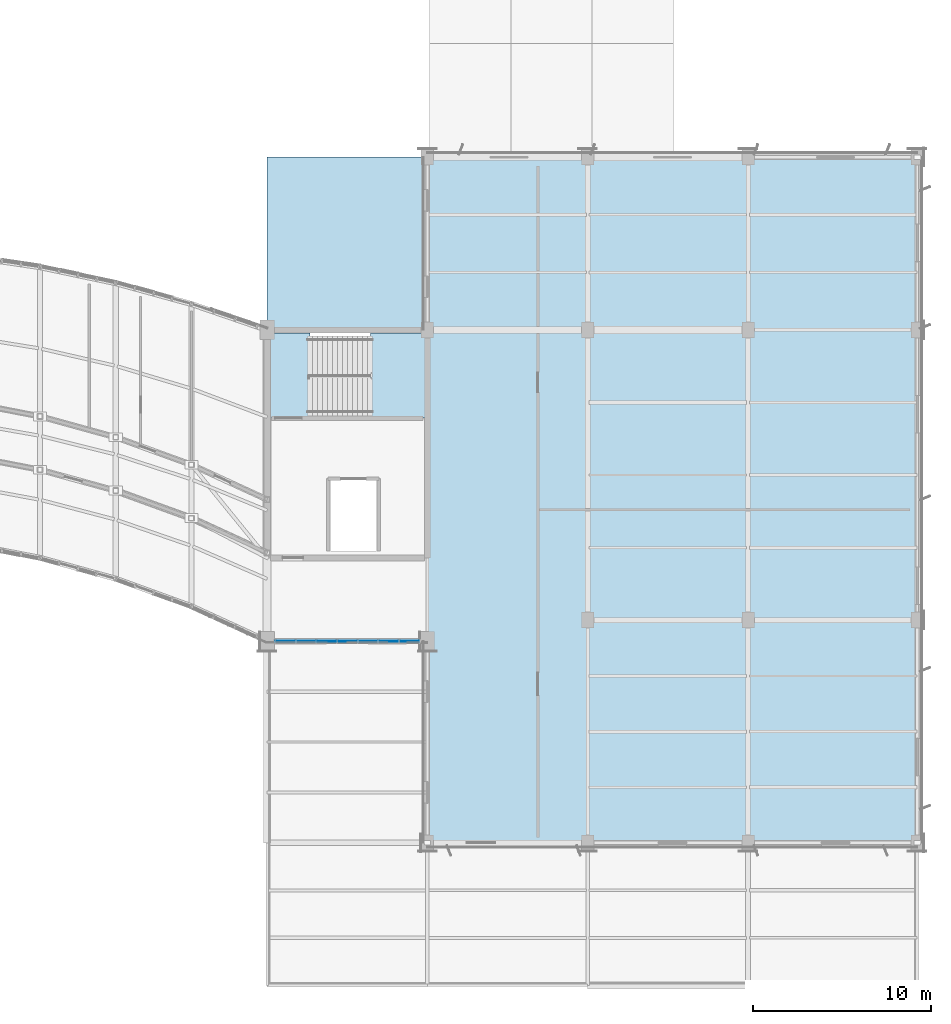
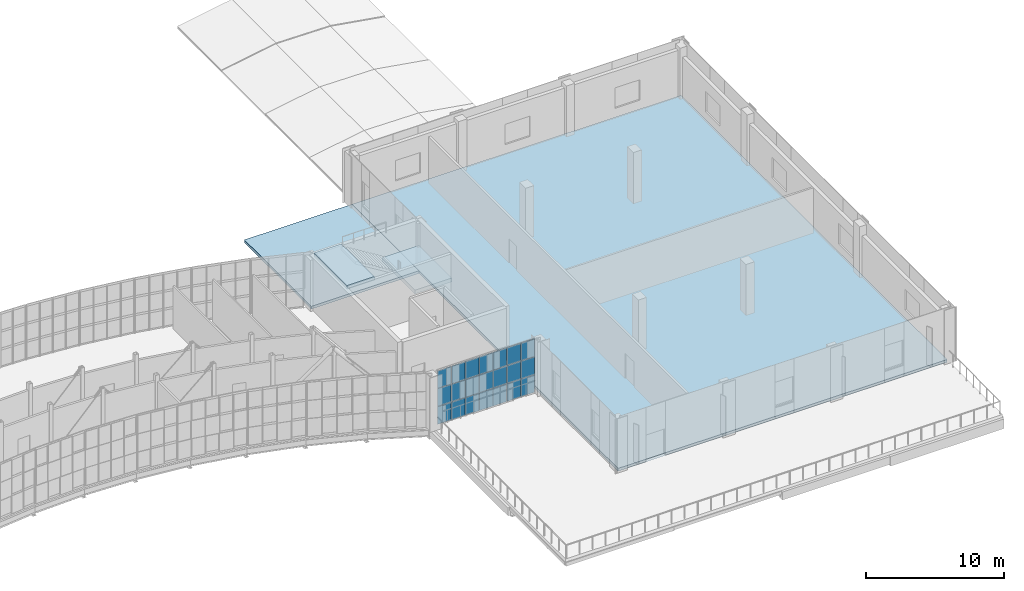
# One storey, part 63 of 86: 21 plates, 4 slabs, 2 elements without a shape of their own.
"""IFC4 building model written with IfcOpenShell, lengths in metres."""

from ifc_helpers import new_model, si_unit, direction, frame, origin, origin_2d, place, context, subcontext, project, spatial, polyline, rectangle, outline, extrude, material, layer, layer_set, type_object, element, aggregate, save


model = new_model("IFC4")

# Units and contexts
model_context = context("Model", 3, precision=1e-05, world=origin(), true_north=direction((0.0, 1.0)))
body_context = subcontext(model_context, "Body", "Model", "MODEL_VIEW")
ifc_project = project(units=[si_unit("LENGTHUNIT", "METRE"), si_unit("AREAUNIT", "SQUARE_METRE"), si_unit("VOLUMEUNIT", "CUBIC_METRE"), si_unit("PLANEANGLEUNIT", "RADIAN"), si_unit("MASSUNIT", "GRAM", prefix="KILO")], contexts=[model_context])

# Site, building, storey
site_placement = place(None, origin())
site = spatial("IfcSite", under=ifc_project, at=site_placement, CompositionType="ELEMENT")
building_placement = place(site_placement, origin())
building = spatial("IfcBuilding", under=site, at=building_placement, Name="Solvikara Media Centre", CompositionType="ELEMENT")
storey_placement = place(building_placement, frame((0.0, 0.0, 15.0)))
storey = spatial("IfcBuildingStorey", under=building, at=storey_placement, Name="L03", CompositionType="ELEMENT", Elevation=15.0)

# Curtain wall, plates
ifc_material_1 = material(Name="Anodised aluminium EN AW-6063", Category="aluminium")
curtain_wall_type = type_object("IfcCurtainWallType", Name="CW-10", PredefinedType="NOTDEFINED", material=ifc_material_1)
curtain_wall_placement = place(storey_placement, origin())
curtain_wall = element("IfcCurtainWall", 1, at=curtain_wall_placement, inside=storey, type_object=curtain_wall_type, Name="CW-L03-BHES", PredefinedType="NOTDEFINED")
ifc_material_2 = material(Name="Laminated solar-control cyan vision glass", Category="glass")
ifc_layer_1 = layer(ifc_material_2, 0.035888671875)
ifc_layer_set_1 = layer_set([ifc_layer_1], Name="Laminated solar-control cyan vision glass")
plate_type_1 = type_object("IfcPlateType", Name="PN-01", PredefinedType="CURTAIN_PANEL", material=ifc_layer_set_1)
plate_1_placement = place(storey_placement, frame((128.52001953125, 19.323974609375, 1.62158203125), z_axis=(0.0, 0.0, 1.0), x_axis=(1.0, 0.0, 0.0)))
plate_1 = element("IfcPlate", 2, at=plate_1_placement, type_object=plate_type_1, Name="CW-L03-BHES-P0001", PredefinedType="CURTAIN_PANEL", context=body_context, shape_type="SweptSolid", body=[
    extrude(rectangle(XDim=1.1298828125, YDim=0.035888671875, at=origin_2d()), origin(), (0.0, 0.0, 1.0), 1.556884765625),
])
plate_2_placement = place(storey_placement, frame((128.52001953125, 19.323974609375, 3.20849609375), z_axis=(0.0, 0.0, 1.0), x_axis=(1.0, 0.0, 0.0)))
plate_2 = element("IfcPlate", 3, at=plate_2_placement, type_object=plate_type_1, Name="CW-L03-BHES-P0002", PredefinedType="CURTAIN_PANEL", context=body_context, shape_type="SweptSolid", body=[
    extrude(rectangle(XDim=1.1298828125, YDim=0.035888671875, at=origin_2d()), origin(), (0.0, 0.0, 1.0), 1.556884765625),
])
plate_3_placement = place(storey_placement, frame((129.679931640625, 19.323974609375, 1.62158203125), z_axis=(0.0, 0.0, 1.0), x_axis=(1.0, 0.0, 0.0)))
plate_3 = element("IfcPlate", 4, at=plate_3_placement, type_object=plate_type_1, Name="CW-L03-BHES-P0101", PredefinedType="CURTAIN_PANEL", context=body_context, shape_type="SweptSolid", body=[
    extrude(rectangle(XDim=1.1298828125, YDim=0.035888671875, at=origin_2d()), origin(), (0.0, 0.0, 1.0), 1.556884765625),
])
plate_4_placement = place(storey_placement, frame((129.679931640625, 19.323974609375, 3.20849609375), z_axis=(0.0, 0.0, 1.0), x_axis=(1.0, 0.0, 0.0)))
plate_4 = element("IfcPlate", 5, at=plate_4_placement, type_object=plate_type_1, Name="CW-L03-BHES-P0102", PredefinedType="CURTAIN_PANEL", context=body_context, shape_type="SweptSolid", body=[
    extrude(rectangle(XDim=1.1298828125, YDim=0.035888671875, at=origin_2d()), origin(), (0.0, 0.0, 1.0), 1.556884765625),
])
plate_5_placement = place(storey_placement, frame((132.0, 19.323974609375, 1.62158203125), z_axis=(0.0, 0.0, 1.0), x_axis=(1.0, 0.0, 0.0)))
plate_5 = element("IfcPlate", 6, at=plate_5_placement, type_object=plate_type_1, Name="CW-L03-BHES-P0301", PredefinedType="CURTAIN_PANEL", context=body_context, shape_type="SweptSolid", body=[
    extrude(rectangle(XDim=1.1298828125, YDim=0.035888671875, at=origin_2d()), origin(), (0.0, 0.0, 1.0), 1.556884765625),
])
plate_6_placement = place(storey_placement, frame((132.0, 19.323974609375, 3.20849609375), z_axis=(0.0, 0.0, 1.0), x_axis=(1.0, 0.0, 0.0)))
plate_6 = element("IfcPlate", 7, at=plate_6_placement, type_object=plate_type_1, Name="CW-L03-BHES-P0302", PredefinedType="CURTAIN_PANEL", context=body_context, shape_type="SweptSolid", body=[
    extrude(rectangle(XDim=1.1298828125, YDim=0.035888671875, at=origin_2d()), origin(), (0.0, 0.0, 1.0), 1.556884765625),
])
plate_7_placement = place(storey_placement, frame((133.159912109375, 19.323974609375, 0.03466796875), z_axis=(0.0, 0.0, 1.0), x_axis=(1.0, 0.0, 0.0)))
plate_7 = element("IfcPlate", 8, at=plate_7_placement, type_object=plate_type_1, Name="CW-L03-BHES-P0400", PredefinedType="CURTAIN_PANEL", context=body_context, shape_type="SweptSolid", body=[
    extrude(rectangle(XDim=1.1298828125, YDim=0.035888671875, at=origin_2d()), origin(), (0.0, 0.0, 1.0), 1.556884765625),
])
plate_8_placement = place(storey_placement, frame((133.159912109375, 19.323974609375, 3.20849609375), z_axis=(0.0, 0.0, 1.0), x_axis=(1.0, 0.0, 0.0)))
plate_8 = element("IfcPlate", 9, at=plate_8_placement, type_object=plate_type_1, Name="CW-L03-BHES-P0402", PredefinedType="CURTAIN_PANEL", context=body_context, shape_type="SweptSolid", body=[
    extrude(rectangle(XDim=1.1298828125, YDim=0.035888671875, at=origin_2d()), origin(), (0.0, 0.0, 1.0), 1.556884765625),
])
plate_9_placement = place(storey_placement, frame((134.320068359375, 19.323974609375, 3.20849609375), z_axis=(0.0, 0.0, 1.0), x_axis=(1.0, 0.0, 0.0)))
plate_9 = element("IfcPlate", 10, at=plate_9_placement, type_object=plate_type_1, Name="CW-L03-BHES-P0502", PredefinedType="CURTAIN_PANEL", context=body_context, shape_type="SweptSolid", body=[
    extrude(rectangle(XDim=1.1298828125, YDim=0.035888671875, at=origin_2d()), origin(), (0.0, 0.0, 1.0), 1.556884765625),
])
plate_10_placement = place(storey_placement, frame((135.47998046875, 19.323974609375, 0.03466796875), z_axis=(0.0, 0.0, 1.0), x_axis=(1.0, 0.0, 0.0)))
plate_10 = element("IfcPlate", 11, at=plate_10_placement, type_object=plate_type_1, Name="CW-L03-BHES-P0600", PredefinedType="CURTAIN_PANEL", context=body_context, shape_type="SweptSolid", body=[
    extrude(rectangle(XDim=1.1298828125, YDim=0.035888671875, at=origin_2d()), origin(), (0.0, 0.0, 1.0), 1.556884765625),
])
plate_11_placement = place(storey_placement, frame((135.47998046875, 19.323974609375, 3.20849609375), z_axis=(0.0, 0.0, 1.0), x_axis=(1.0, 0.0, 0.0)))
plate_11 = element("IfcPlate", 12, at=plate_11_placement, type_object=plate_type_1, Name="CW-L03-BHES-P0602", PredefinedType="CURTAIN_PANEL", context=body_context, shape_type="SweptSolid", body=[
    extrude(rectangle(XDim=1.1298828125, YDim=0.035888671875, at=origin_2d()), origin(), (0.0, 0.0, 1.0), 1.556884765625),
])
ifc_material_3 = material(Name="Ceramic-fritted teal low-E glass", Category="glass")
ifc_layer_2 = layer(ifc_material_3, 0.0419921875)
ifc_layer_set_2 = layer_set([ifc_layer_2], Name="Ceramic-fritted teal low-E glass")
plate_type_2 = type_object("IfcPlateType", Name="PN-02", PredefinedType="CURTAIN_PANEL", material=ifc_layer_set_2)
plate_12_placement = place(storey_placement, frame((130.840087890625, 19.323974609375, 0.03466796875), z_axis=(0.0, 0.0, 1.0), x_axis=(1.0, 0.0, 0.0)))
plate_12 = element("IfcPlate", 13, at=plate_12_placement, type_object=plate_type_2, Name="CW-L03-BHES-P0200", PredefinedType="CURTAIN_PANEL", context=body_context, shape_type="SweptSolid", body=[
    extrude(rectangle(XDim=1.1298828125, YDim=0.0419921875, at=origin_2d()), origin(), (0.0, 0.0, 1.0), 1.556884765625),
])
plate_13_placement = place(storey_placement, frame((130.840087890625, 19.323974609375, 1.62158203125), z_axis=(0.0, 0.0, 1.0), x_axis=(1.0, 0.0, 0.0)))
plate_13 = element("IfcPlate", 14, at=plate_13_placement, type_object=plate_type_2, Name="CW-L03-BHES-P0201", PredefinedType="CURTAIN_PANEL", context=body_context, shape_type="SweptSolid", body=[
    extrude(rectangle(XDim=1.1298828125, YDim=0.0419921875, at=origin_2d()), origin(), (0.0, 0.0, 1.0), 1.556884765625),
])
plate_14_placement = place(storey_placement, frame((132.0, 19.323974609375, 0.03466796875), z_axis=(0.0, 0.0, 1.0), x_axis=(1.0, 0.0, 0.0)))
plate_14 = element("IfcPlate", 15, at=plate_14_placement, type_object=plate_type_2, Name="CW-L03-BHES-P0300", PredefinedType="CURTAIN_PANEL", context=body_context, shape_type="SweptSolid", body=[
    extrude(rectangle(XDim=1.1298828125, YDim=0.0419921875, at=origin_2d()), origin(), (0.0, 0.0, 1.0), 1.556884765625),
])
plate_15_placement = place(storey_placement, frame((133.159912109375, 19.323974609375, 1.62158203125), z_axis=(0.0, 0.0, 1.0), x_axis=(1.0, 0.0, 0.0)))
plate_15 = element("IfcPlate", 16, at=plate_15_placement, type_object=plate_type_2, Name="CW-L03-BHES-P0401", PredefinedType="CURTAIN_PANEL", context=body_context, shape_type="SweptSolid", body=[
    extrude(rectangle(XDim=1.1298828125, YDim=0.0419921875, at=origin_2d()), origin(), (0.0, 0.0, 1.0), 1.556884765625),
])
plate_16_placement = place(storey_placement, frame((134.320068359375, 19.323974609375, 0.03466796875), z_axis=(0.0, 0.0, 1.0), x_axis=(1.0, 0.0, 0.0)))
plate_16 = element("IfcPlate", 17, at=plate_16_placement, type_object=plate_type_2, Name="CW-L03-BHES-P0500", PredefinedType="CURTAIN_PANEL", context=body_context, shape_type="SweptSolid", body=[
    extrude(rectangle(XDim=1.1298828125, YDim=0.0419921875, at=origin_2d()), origin(), (0.0, 0.0, 1.0), 1.556884765625),
])
ifc_material_4 = material(Name="Insulated silver-pearl glass spandrel panel", Category="glass")
ifc_layer_3 = layer(ifc_material_4, 0.054931640625)
ifc_layer_set_3 = layer_set([ifc_layer_3], Name="Insulated silver-pearl glass spandrel panel")
plate_type_3 = type_object("IfcPlateType", Name="PN-03", PredefinedType="CURTAIN_PANEL", material=ifc_layer_set_3)
plate_17_placement = place(storey_placement, frame((128.52001953125, 19.323974609375, 0.03466796875), z_axis=(0.0, 0.0, 1.0), x_axis=(1.0, 0.0, 0.0)))
plate_17 = element("IfcPlate", 18, at=plate_17_placement, type_object=plate_type_3, Name="CW-L03-BHES-P0000", PredefinedType="CURTAIN_PANEL", context=body_context, shape_type="SweptSolid", body=[
    extrude(rectangle(XDim=1.1298828125, YDim=0.054931640625, at=origin_2d()), origin(), (0.0, 0.0, 1.0), 1.556884765625),
])
plate_18_placement = place(storey_placement, frame((129.679931640625, 19.323974609375, 0.03466796875), z_axis=(0.0, 0.0, 1.0), x_axis=(1.0, 0.0, 0.0)))
plate_18 = element("IfcPlate", 19, at=plate_18_placement, type_object=plate_type_3, Name="CW-L03-BHES-P0100", PredefinedType="CURTAIN_PANEL", context=body_context, shape_type="SweptSolid", body=[
    extrude(rectangle(XDim=1.1298828125, YDim=0.054931640625, at=origin_2d()), origin(), (0.0, 0.0, 1.0), 1.556884765625),
])
plate_19_placement = place(storey_placement, frame((130.840087890625, 19.323974609375, 3.20849609375), z_axis=(0.0, 0.0, 1.0), x_axis=(1.0, 0.0, 0.0)))
plate_19 = element("IfcPlate", 20, at=plate_19_placement, type_object=plate_type_3, Name="CW-L03-BHES-P0202", PredefinedType="CURTAIN_PANEL", context=body_context, shape_type="SweptSolid", body=[
    extrude(rectangle(XDim=1.1298828125, YDim=0.054931640625, at=origin_2d()), origin(), (0.0, 0.0, 1.0), 1.556884765625),
])
plate_20_placement = place(storey_placement, frame((134.320068359375, 19.323974609375, 1.62158203125), z_axis=(0.0, 0.0, 1.0), x_axis=(1.0, 0.0, 0.0)))
plate_20 = element("IfcPlate", 21, at=plate_20_placement, type_object=plate_type_3, Name="CW-L03-BHES-P0501", PredefinedType="CURTAIN_PANEL", context=body_context, shape_type="SweptSolid", body=[
    extrude(rectangle(XDim=1.1298828125, YDim=0.054931640625, at=origin_2d()), origin(), (0.0, 0.0, 1.0), 1.556884765625),
])
plate_21_placement = place(storey_placement, frame((135.47998046875, 19.323974609375, 1.62158203125), z_axis=(0.0, 0.0, 1.0), x_axis=(1.0, 0.0, 0.0)))
plate_21 = element("IfcPlate", 22, at=plate_21_placement, type_object=plate_type_3, Name="CW-L03-BHES-P0601", PredefinedType="CURTAIN_PANEL", context=body_context, shape_type="SweptSolid", body=[
    extrude(rectangle(XDim=1.1298828125, YDim=0.054931640625, at=origin_2d()), origin(), (0.0, 0.0, 1.0), 1.556884765625),
])
aggregate(curtain_wall, [plate_17, plate_1, plate_2, plate_18, plate_3, plate_4, plate_12, plate_13, plate_19, plate_14, plate_5, plate_6, plate_7, plate_15, plate_8, plate_16, plate_20, plate_9, plate_10, plate_21, plate_11])

# Slabs
ifc_material_5 = material(Name="Concrete fc' 35 MPa (C35/45)", Category="concrete")
ifc_layer_4 = layer(ifc_material_5, 0.239990234375)
ifc_layer_set_4 = layer_set([ifc_layer_4], Name="Concrete fc' 35 MPa (C35/45)")
slab_type_1 = type_object("IfcSlabType", Name="ST-07", PredefinedType="FLOOR", material=ifc_layer_set_4)
slab_1_placement = place(storey_placement, frame((0.0, 0.0, -0.239990234375)))
element("IfcSlab", 23, at=slab_1_placement, inside=storey, type_object=slab_type_1, Name="SL-L03-V5", PredefinedType="FLOOR", context=body_context, shape_type="SweptSolid", body=[
    extrude(outline(polyline([(136.5, 8.0), (164.0, 8.0), (164.0, 46.5), (136.5, 46.5), (136.5, 8.0)])), origin(), (0.0, 0.0, 1.0), 0.239990234375),
])
ifc_layer_5 = layer(ifc_material_5, 0.22998046875)
ifc_layer_set_5 = layer_set([ifc_layer_5], Name="Concrete fc' 35 MPa (C35/45)")
slab_type_2 = type_object("IfcSlabType", Name="ST-13", PredefinedType="ROOF", material=ifc_layer_set_5)
slab_2_placement = place(storey_placement, frame((0.0, 0.0, -0.22998046875)))
element("IfcSlab", 24, at=slab_2_placement, inside=storey, type_object=slab_type_2, Name="SL-L03-V5RFN", PredefinedType="ROOF", context=body_context, shape_type="SweptSolid", body=[
    extrude(outline(polyline([(127.5, 36.800048828125), (136.5, 36.800048828125), (136.5, 46.5), (127.5, 46.5), (127.5, 36.800048828125)])), origin(), (0.0, 0.0, 1.0), 0.22998046875),
])

# Stair, slabs
stair_type = type_object("IfcStairType", Name="SR-01", PredefinedType="HALF_TURN_STAIR", material=ifc_material_5)
stair_placement = place(storey_placement, origin())
stair = element("IfcStair", 25, at=stair_placement, inside=storey, type_object=stair_type, Name="ST-C4-L03", PredefinedType="HALF_TURN_STAIR")
ifc_layer_6 = layer(ifc_material_5, 0.330078125)
ifc_layer_set_6 = layer_set([ifc_layer_6], Name="Concrete fc' 35 MPa (C35/45)")
slab_type_3 = type_object("IfcSlabType", Name="ST-15", PredefinedType="LANDING", material=ifc_layer_set_6)
slab_3_placement = place(storey_placement, frame((0.0, 0.0, 2.070068359375)))
slab_3 = element("IfcSlab", 26, at=slab_3_placement, type_object=slab_type_3, Name="ST-C4-L03-LND", PredefinedType="LANDING", context=body_context, shape_type="SweptSolid", body=[
    extrude(outline(polyline([(133.300048828125, 31.85009765625), (136.3798828125, 31.85009765625), (136.3798828125, 36.6201171875), (133.300048828125, 36.6201171875), (133.300048828125, 31.85009765625)])), origin(), (0.0, 0.0, 1.0), 0.329833984375),
])
slab_4_placement = place(storey_placement, frame((0.0, 0.0, 4.469970703125)))
slab_4 = element("IfcSlab", 27, at=slab_4_placement, type_object=slab_type_3, Name="ST-C4-L03-ARR", PredefinedType="LANDING", context=body_context, shape_type="SweptSolid", body=[
    extrude(outline(polyline([(127.6201171875, 31.85009765625), (129.89990234375, 31.85009765625), (129.89990234375, 36.6201171875), (127.6201171875, 36.6201171875), (127.6201171875, 31.85009765625)])), origin(), (0.0, 0.0, 1.0), 0.330078125),
])
aggregate(stair, [slab_3, slab_4])

save(model, "model.ifc")
